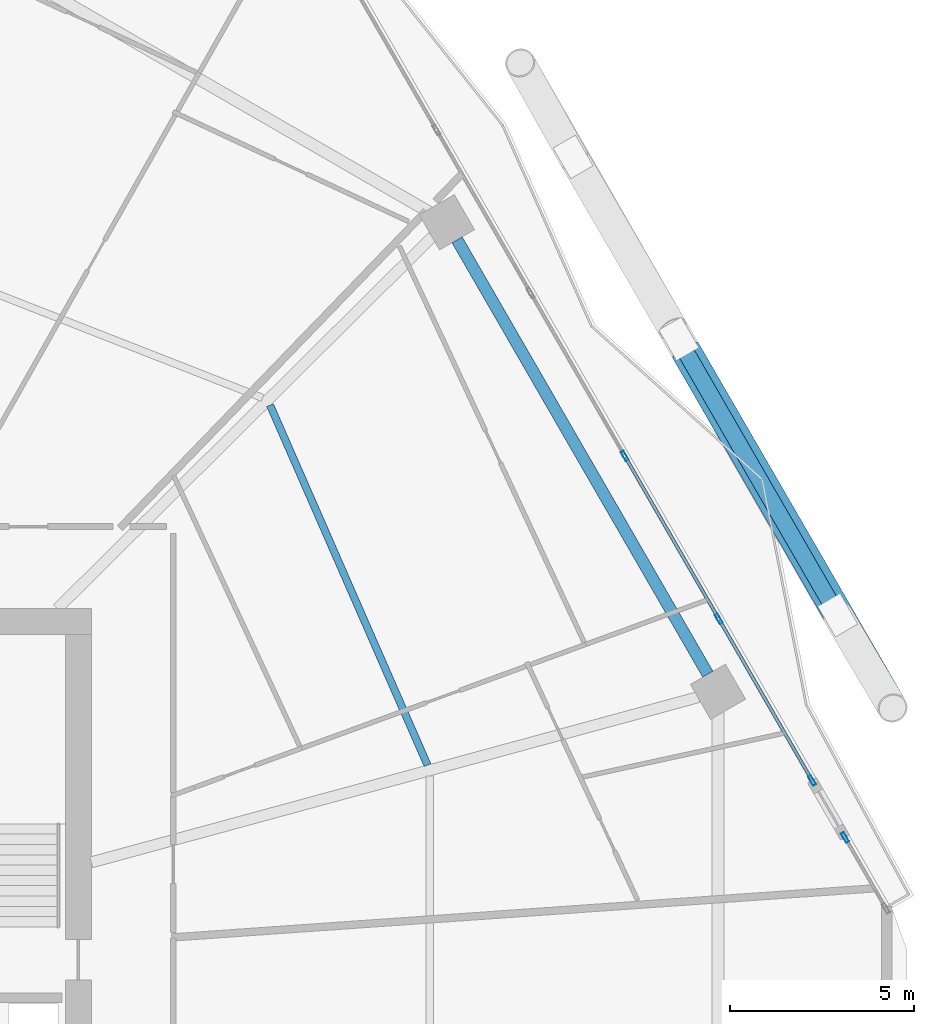
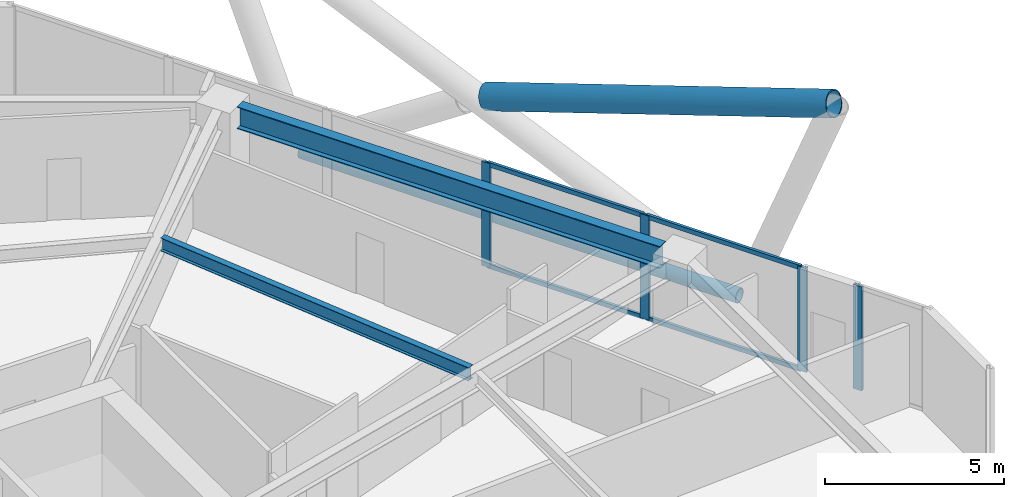
# One storey, part 20 of 34: 10 members, 2 beams, 2 elements without a shape of their own.
"""IFC4 building model written with IfcOpenShell, lengths in metres."""

from ifc_helpers import new_model, si_unit, direction, frame, origin, origin_2d, place, context, subcontext, project, spatial, hollow_rectangle, hollow_circle, i_section, extrude, material, material_profile, profile_set, type_object, element, aggregate, save


model = new_model("IFC4")

# Units and contexts
model_context = context("Model", 3, precision=1e-05, world=origin(), true_north=direction((0.0, 1.0)))
body_context = subcontext(model_context, "Body", "Model", "MODEL_VIEW")
ifc_project = project(units=[si_unit("LENGTHUNIT", "METRE"), si_unit("AREAUNIT", "SQUARE_METRE"), si_unit("VOLUMEUNIT", "CUBIC_METRE"), si_unit("PLANEANGLEUNIT", "RADIAN"), si_unit("MASSUNIT", "GRAM", prefix="KILO")], contexts=[model_context])

# Site, building, storey
site_placement = place(None, origin())
site = spatial("IfcSite", under=ifc_project, at=site_placement, CompositionType="ELEMENT")
building_placement = place(site_placement, origin())
building = spatial("IfcBuilding", under=site, at=building_placement, Name="Zuhravey Tower", CompositionType="ELEMENT")
storey_placement = place(building_placement, frame((0.0, 0.0, 100.0)))
storey = spatial("IfcBuildingStorey", under=building, at=storey_placement, Name="L24", CompositionType="ELEMENT", Elevation=100.0)

# Curtain wall, members
ifc_material_1 = material(Name="Thermally broken anodised aluminium", Category="aluminium")
curtain_wall_type = type_object("IfcCurtainWallType", Name="Zone 1-2 Residential Curtain Wall CW3", PredefinedType="NOTDEFINED", material=ifc_material_1)
curtain_wall_1_placement = place(storey_placement, origin())
curtain_wall_1 = element("IfcCurtainWall", 1, at=curtain_wall_1_placement, inside=storey, type_object=curtain_wall_type, Name="L24 CW3 CW-L24-F1-1", PredefinedType="NOTDEFINED")
ifc_material_2 = material(Name="Anodised aluminium", Category="aluminium")
ifc_material_profile_1 = material_profile(ifc_material_2, hollow_rectangle(XDim=0.090087890625, YDim=0.284912109375, WallThickness=0.0048828125, at=origin_2d()), Name="ALU-RHS-90x285x5")
ifc_profile_set_1 = profile_set([ifc_material_profile_1], Name="Anodised aluminium")
member_type_1 = type_object("IfcMemberType", Name="Curtain-Wall Mullion 90x180", PredefinedType="MULLION", material=ifc_profile_set_1)
member_1_placement = place(storey_placement, frame((61.353515625, 46.003173828125, 0.0), z_axis=(0.0, 0.0, 1.0), x_axis=(0.866025776316, 0.499999354756, 0.0)))
member_1 = element("IfcMember", 2, at=member_1_placement, type_object=member_type_1, Name="CW3 mullion 4", PredefinedType="MULLION", context=body_context, shape_type="SweptSolid", body=[
    extrude(hollow_rectangle(XDim=0.090087890625, YDim=0.284912109375, WallThickness=0.0048828125, at=origin_2d()), origin(), (0.0, 0.0, 1.0), 3.550048828125),
])
member_2_placement = place(storey_placement, frame((63.911865234375, 41.572265625, 0.0), z_axis=(0.0, 0.0, 1.0), x_axis=(0.866025776316, 0.499999354756, 0.0)))
member_2 = element("IfcMember", 3, at=member_2_placement, type_object=member_type_1, Name="CW3 mullion 5", PredefinedType="MULLION", context=body_context, shape_type="SweptSolid", body=[
    extrude(hollow_rectangle(XDim=0.090087890625, YDim=0.284912109375, WallThickness=0.0048828125, at=origin_2d()), origin(), (0.0, 0.0, 1.0), 3.550048828125),
])
member_3_placement = place(storey_placement, frame((66.447509765625, 37.18017578125, 0.0), z_axis=(0.0, 0.0, 1.0), x_axis=(0.866025776316, 0.499999354756, 0.0)))
member_3 = element("IfcMember", 4, at=member_3_placement, type_object=member_type_1, Name="CW3 mullion 6", PredefinedType="MULLION", context=body_context, shape_type="SweptSolid", body=[
    extrude(hollow_rectangle(XDim=0.090087890625, YDim=0.284912109375, WallThickness=0.0048828125, at=origin_2d()), origin(), (0.0, 0.0, 1.0), 3.550048828125),
])

# Curtain wall, member
curtain_wall_2_placement = place(storey_placement, origin())
curtain_wall_2 = element("IfcCurtainWall", 5, at=curtain_wall_2_placement, inside=storey, type_object=curtain_wall_type, Name="L24 CW3 CW-L24-F1-2", PredefinedType="NOTDEFINED")
member_4_placement = place(storey_placement, frame((67.342529296875, 35.630126953125, 0.0), z_axis=(0.0, 0.0, 1.0), x_axis=(0.866027468868, 0.499996423153, 0.0)))
member_4 = element("IfcMember", 6, at=member_4_placement, type_object=member_type_1, Name="CW3 mullion 1", PredefinedType="MULLION", context=body_context, shape_type="SweptSolid", body=[
    extrude(hollow_rectangle(XDim=0.090087890625, YDim=0.284912109375, WallThickness=0.0048828125, at=origin_2d()), origin(), (0.0, 0.0, 1.0), 3.550048828125),
])
aggregate(curtain_wall_2, [member_4])

# Member
ifc_material_profile_2 = material_profile(ifc_material_2, hollow_rectangle(XDim=0.090087890625, YDim=0.14990234375, WallThickness=0.0048828125, at=origin_2d()), Name="ALU-RHS-90x150x5")
ifc_profile_set_2 = profile_set([ifc_material_profile_2], Name="Anodised aluminium")
member_type_2 = type_object("IfcMemberType", Name="Curtain-Wall Transom 90x150", PredefinedType="USERDEFINED", material=ifc_profile_set_2)
member_5_placement = place(storey_placement, frame((61.376220703125, 45.964111328125, 0.044921875), z_axis=(0.500015375271, -0.866016526686, 0.0), x_axis=(0.866016526686, 0.500015375271, 0.0)))
member_5 = element("IfcMember", 7, at=member_5_placement, type_object=member_type_2, Name="CW3 transom 4.1", ObjectType="TRANSOM", PredefinedType="USERDEFINED", context=body_context, shape_type="SweptSolid", body=[
    extrude(hollow_rectangle(XDim=0.090087890625, YDim=0.14990234375, WallThickness=0.0048828125, at=origin_2d()), origin(), (0.0, 0.0, 1.0), 5.026123046875),
])

member_6_placement = place(storey_placement, frame((61.376220703125, 45.964111328125, 3.5048828125), z_axis=(0.500015375271, -0.866016526686, 0.0), x_axis=(0.866016526686, 0.500015375271, 0.0)))
member_6 = element("IfcMember", 8, at=member_6_placement, type_object=member_type_2, Name="CW3 transom 4.2", ObjectType="TRANSOM", PredefinedType="USERDEFINED", context=body_context, shape_type="SweptSolid", body=[
    extrude(hollow_rectangle(XDim=0.090087890625, YDim=0.14990234375, WallThickness=0.0048828125, at=origin_2d()), origin(), (0.0, 0.0, 1.0), 5.026123046875),
])

member_7_placement = place(storey_placement, frame((63.934326171875, 41.533203125, 0.044921875), z_axis=(0.500008114086, -0.866020719064, 0.0), x_axis=(0.866020719064, 0.500008114086, 0.0)))
member_7 = element("IfcMember", 9, at=member_7_placement, type_object=member_type_2, Name="CW3 transom 5.1", ObjectType="TRANSOM", PredefinedType="USERDEFINED", context=body_context, shape_type="SweptSolid", body=[
    extrude(hollow_rectangle(XDim=0.090087890625, YDim=0.14990234375, WallThickness=0.0048828125, at=origin_2d()), origin(), (0.0, 0.0, 1.0), 4.9814453125),
])

member_8_placement = place(storey_placement, frame((63.934326171875, 41.533203125, 3.5048828125), z_axis=(0.500008114086, -0.866020719064, 0.0), x_axis=(0.866020719064, 0.500008114086, 0.0)))
member_8 = element("IfcMember", 10, at=member_8_placement, type_object=member_type_2, Name="CW3 transom 5.2", ObjectType="TRANSOM", PredefinedType="USERDEFINED", context=body_context, shape_type="SweptSolid", body=[
    extrude(hollow_rectangle(XDim=0.090087890625, YDim=0.14990234375, WallThickness=0.0048828125, at=origin_2d()), origin(), (0.0, 0.0, 1.0), 4.9814453125),
])

aggregate(curtain_wall_1, [member_1, member_2, member_3, member_5, member_6, member_7, member_8])

# Members
ifc_material_3 = material(Name="Steel SM355", Category="steel")
ifc_material_profile_3 = material_profile(ifc_material_3, hollow_circle(Radius=0.228515625, WallThickness=0.02197265625, at=origin_2d()), Name="CHS-457.2x22")
ifc_profile_set_3 = profile_set([ifc_material_profile_3], Name="Steel SM355")
member_type_3 = type_object("IfcMemberType", Name="Exoskeleton Ring Tie CHS457x22", PredefinedType="CHORD", material=ifc_profile_set_3)
member_9_placement = place(storey_placement, frame((67.073974609375, 41.79541015625, -0.464111328125), z_axis=(-0.500008572427, 0.866020454435, 0.0), x_axis=(-0.866020454435, -0.500008572427, 0.0)))
element("IfcMember", 11, at=member_9_placement, inside=storey, type_object=member_type_3, Name="L24 Exoskeleton Face 1 Tie EXR1", PredefinedType="CHORD", context=body_context, shape_type="SweptSolid", body=[
    extrude(hollow_circle(Radius=0.228515625, WallThickness=0.02197265625, at=origin_2d()), origin(), (0.0, 0.0, 1.0), 14.107666015625),
])
ifc_material_4 = material(Name="Steel SM460", Category="steel")
ifc_material_profile_4 = material_profile(ifc_material_4, hollow_circle(Radius=0.406494140625, WallThickness=0.035888671875, at=origin_2d()), Name="CHS-812.8x36")
ifc_profile_set_4 = profile_set([ifc_material_profile_4], Name="Steel SM460")
member_type_4 = type_object("IfcMemberType", Name="Exoskeleton Zone 1 Diagrid CHS813x36", PredefinedType="BRACE", material=ifc_profile_set_4)
member_10_placement = place(storey_placement, frame((63.012939453125, 48.860107421875, 3.459228515625), z_axis=(0.476250650383, -0.82243363066, 0.311108085992), x_axis=(0.865378437065, 0.501118908707, 0.0)))
element("IfcMember", 12, at=member_10_placement, inside=storey, type_object=member_type_4, Name="L24 Face 1 Split Diagrid Brace 3B", PredefinedType="BRACE", context=body_context, shape_type="SweptSolid", body=[
    extrude(hollow_circle(Radius=0.406494140625, WallThickness=0.035888671875, at=origin_2d()), origin(), (0.0, 0.0, 1.0), 11.763427734375),
])

# Beams
ifc_material_profile_5 = material_profile(ifc_material_3, i_section(OverallWidth=0.320068359375, OverallDepth=0.75, WebThickness=0.013916015625, FlangeThickness=0.02490234375, at=origin_2d()), Name="H-750x320x14x25")
ifc_profile_set_5 = profile_set([ifc_material_profile_5], Name="Steel SM355")
beam_type_1 = type_object("IfcBeamType", Name="Perimeter Ring Beam H750x320", PredefinedType="BEAM", material=ifc_profile_set_5)
beam_1_placement = place(storey_placement, frame((63.612548828125, 40.070556640625, 3.175048828125), z_axis=(-0.500008177929, 0.866020682204, 0.0), x_axis=(-0.866020682204, -0.500008177929, 0.0)))
element("IfcBeam", 13, at=beam_1_placement, inside=storey, type_object=beam_type_1, Name="L24 PB1 BM-L24-PB-01", PredefinedType="BEAM", context=body_context, shape_type="SweptSolid", body=[
    extrude(i_section(OverallWidth=0.320068359375, OverallDepth=0.75, WebThickness=0.013916015625, FlangeThickness=0.02490234375, at=origin_2d()), origin(), (0.0, 0.0, 1.0), 13.634033203125),
])
ifc_material_profile_6 = material_profile(ifc_material_3, i_section(OverallWidth=0.199951171875, OverallDepth=0.449951171875, WebThickness=0.009033203125, FlangeThickness=0.013916015625, at=origin_2d()), Name="H-450x200x9x14")
ifc_profile_set_6 = profile_set([ifc_material_profile_6], Name="Steel SM355")
beam_type_2 = type_object("IfcBeamType", Name="Secondary Floor Joist H450x200", PredefinedType="JOIST", material=ifc_profile_set_6)
beam_2_placement = place(storey_placement, frame((55.99072265625, 37.599609375, 3.324951171875), z_axis=(-0.400786454617, 0.916171500209, 0.0), x_axis=(-0.916171500209, -0.400786454617, 0.0)))
element("IfcBeam", 14, at=beam_2_placement, inside=storey, type_object=beam_type_2, Name="L24 SJ1 BM-L24-SJ-01-1", PredefinedType="JOIST", context=body_context, shape_type="SweptSolid", body=[
    extrude(i_section(OverallWidth=0.199951171875, OverallDepth=0.449951171875, WebThickness=0.009033203125, FlangeThickness=0.013916015625, at=origin_2d()), origin(), (0.0, 0.0, 1.0), 10.6796875),
])

save(model, "model.ifc")
